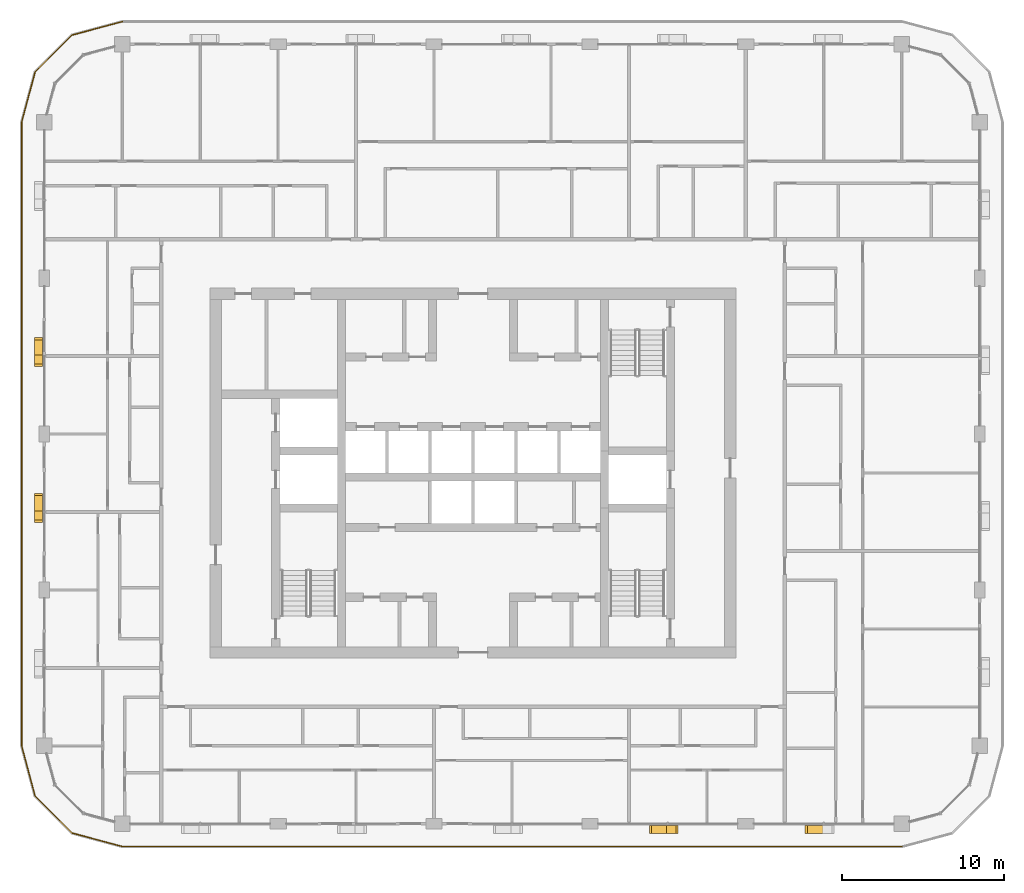
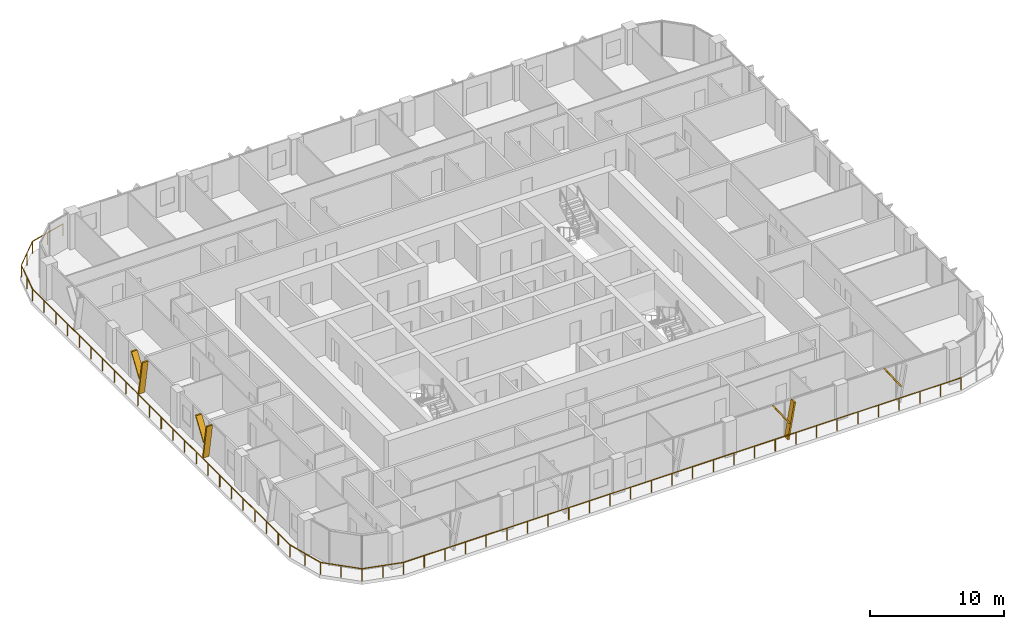
# One storey, part 19 of 23: 7 shading devices, 1 railing.
"""IFC4 building model written with IfcOpenShell, lengths in metres."""

from ifc_helpers import new_model, si_unit, direction, frame, origin, origin_2d, place, context, subcontext, project, spatial, polyline, circle, outline, extrude, material, type_object, element, save


model = new_model("IFC4")

# Units and contexts
model_context = context("Model", 3, precision=1e-05, world=origin(), true_north=direction((0.0, 1.0)))
body_context = subcontext(model_context, "Body", "Model", "MODEL_VIEW")
ifc_project = project(units=[si_unit("LENGTHUNIT", "METRE"), si_unit("AREAUNIT", "SQUARE_METRE"), si_unit("VOLUMEUNIT", "CUBIC_METRE"), si_unit("PLANEANGLEUNIT", "RADIAN"), si_unit("MASSUNIT", "GRAM", prefix="KILO")], contexts=[model_context])

# Site, building, storey
site_placement = place(None, origin())
site = spatial("IfcSite", under=ifc_project, at=site_placement, CompositionType="ELEMENT")
building_placement = place(site_placement, origin())
building = spatial("IfcBuilding", under=site, at=building_placement, Name="Madar Terraces", CompositionType="ELEMENT")
storey_placement = place(building_placement, frame((0.0, 0.0, 215.800048828125)))
storey = spatial("IfcBuildingStorey", under=building, at=storey_placement, Name="L56", CompositionType="ELEMENT", Elevation=215.800048828125)

# Railing
ifc_material_1 = material(Name="Glass, safety glazing, with stainless steel posts", Category="steel")
railing_type = type_object("IfcRailingType", Name="Balcony glass guard 1100", PredefinedType="GUARDRAIL", material=ifc_material_1)
railing_placement = place(storey_placement, frame((9.60009765625, 54.199951171875, 0.0)))
element("IfcRailing", 1, at=railing_placement, inside=storey, type_object=railing_type, Name="Balcony guard", PredefinedType="GUARDRAIL", context=body_context, shape_type="SweptSolid", body=[
    extrude(circle(Radius=0.02392578125, at=origin_2d()), frame((0.0, 0.0, 1.076171875), z_axis=(-0.9659337912, -0.258789317819, 0.0), x_axis=(0.258789317819, -0.9659337912, 0.0)), (0.0, 0.0, 1.0), 3.20947265625),
    extrude(circle(Radius=0.02392578125, at=origin_2d()), frame((-3.10009765625, -0.83056640625, 1.076171875), z_axis=(-0.707106781187, -0.707106781187, 0.0), x_axis=(0.707106781187, -0.707106781187, 0.0)), (0.0, 0.0, 1.0), 3.209228515625),
    extrude(circle(Radius=0.02392578125, at=origin_2d()), frame((-5.369384765625, -3.099853515625, 1.076171875), z_axis=(-0.258860290944, -0.965914773555, 0.0), x_axis=(0.965914773555, -0.258860290944, 0.0)), (0.0, 0.0, 1.0), 3.20947265625),
    extrude(circle(Radius=0.02392578125, at=origin_2d()), frame((-6.2001953125, -6.199951171875, 1.076171875), z_axis=(0.0, -1.0, 0.0), x_axis=(1.0, 0.0, 0.0)), (0.0, 0.0, 1.0), 38.39990234375),
    extrude(circle(Radius=0.02392578125, at=origin_2d()), frame((-6.2001953125, -44.599853515625, 1.076171875), z_axis=(0.258860290944, -0.965914773555, 0.0), x_axis=(0.965914773555, 0.258860290944, 0.0)), (0.0, 0.0, 1.0), 3.20947265625),
    extrude(circle(Radius=0.02392578125, at=origin_2d()), frame((-5.369384765625, -47.699951171875, 1.076171875), z_axis=(0.707106781187, -0.707106781187, 0.0), x_axis=(0.707106781187, 0.707106781187, 0.0)), (0.0, 0.0, 1.0), 3.209228515625),
    extrude(circle(Radius=0.02392578125, at=origin_2d()), frame((-3.10009765625, -49.96923828125, 1.076171875), z_axis=(0.965914773555, -0.258860290944, 0.0), x_axis=(0.258860290944, 0.965914773555, 0.0)), (0.0, 0.0, 1.0), 3.20947265625),
    extrude(circle(Radius=0.02392578125, at=origin_2d()), frame((0.0, -50.800048828125, 1.076171875), z_axis=(1.0, 0.0, 0.0), x_axis=(0.0, 1.0, 0.0)), (0.0, 0.0, 1.0), 48.0),
    extrude(circle(Radius=0.02099609375, at=origin_2d()), origin(), (0.0, 0.0, 1.0), 1.052001953125),
    extrude(circle(Radius=0.02099609375, at=origin_2d()), frame((-1.550048828125, -0.415283203125, 0.0)), (0.0, 0.0, 1.0), 1.052001953125),
    extrude(circle(Radius=0.02099609375, at=origin_2d()), frame((-3.10009765625, -0.83056640625, 0.0)), (0.0, 0.0, 1.0), 1.052001953125),
    extrude(circle(Radius=0.02099609375, at=origin_2d()), frame((-4.23486328125, -1.96533203125, 0.0)), (0.0, 0.0, 1.0), 1.052001953125),
    extrude(circle(Radius=0.02099609375, at=origin_2d()), frame((-5.369384765625, -3.099853515625, 0.0)), (0.0, 0.0, 1.0), 1.052001953125),
    extrude(circle(Radius=0.02099609375, at=origin_2d()), frame((-5.78466796875, -4.64990234375, 0.0)), (0.0, 0.0, 1.0), 1.052001953125),
    extrude(circle(Radius=0.02099609375, at=origin_2d()), frame((-6.2001953125, -6.199951171875, 0.0)), (0.0, 0.0, 1.0), 1.052001953125),
    extrude(circle(Radius=0.02099609375, at=origin_2d()), frame((-6.2001953125, -7.9453125, 0.0)), (0.0, 0.0, 1.0), 1.052001953125),
    extrude(circle(Radius=0.02099609375, at=origin_2d()), frame((-6.2001953125, -9.69091796875, 0.0)), (0.0, 0.0, 1.0), 1.052001953125),
    extrude(circle(Radius=0.02099609375, at=origin_2d()), frame((-6.2001953125, -11.436279296875, 0.0)), (0.0, 0.0, 1.0), 1.052001953125),
    extrude(circle(Radius=0.02099609375, at=origin_2d()), frame((-6.2001953125, -13.181640625, 0.0)), (0.0, 0.0, 1.0), 1.052001953125),
    extrude(circle(Radius=0.02099609375, at=origin_2d()), frame((-6.2001953125, -14.92724609375, 0.0)), (0.0, 0.0, 1.0), 1.052001953125),
    extrude(circle(Radius=0.02099609375, at=origin_2d()), frame((-6.2001953125, -16.672607421875, 0.0)), (0.0, 0.0, 1.0), 1.052001953125),
    extrude(circle(Radius=0.02099609375, at=origin_2d()), frame((-6.2001953125, -18.418212890625, 0.0)), (0.0, 0.0, 1.0), 1.052001953125),
    extrude(circle(Radius=0.02099609375, at=origin_2d()), frame((-6.2001953125, -20.16357421875, 0.0)), (0.0, 0.0, 1.0), 1.052001953125),
    extrude(circle(Radius=0.02099609375, at=origin_2d()), frame((-6.2001953125, -21.908935546875, 0.0)), (0.0, 0.0, 1.0), 1.052001953125),
    extrude(circle(Radius=0.02099609375, at=origin_2d()), frame((-6.2001953125, -23.654541015625, 0.0)), (0.0, 0.0, 1.0), 1.052001953125),
    extrude(circle(Radius=0.02099609375, at=origin_2d()), frame((-6.2001953125, -25.39990234375, 0.0)), (0.0, 0.0, 1.0), 1.052001953125),
    extrude(circle(Radius=0.02099609375, at=origin_2d()), frame((-6.2001953125, -27.145263671875, 0.0)), (0.0, 0.0, 1.0), 1.052001953125),
    extrude(circle(Radius=0.02099609375, at=origin_2d()), frame((-6.2001953125, -28.890869140625, 0.0)), (0.0, 0.0, 1.0), 1.052001953125),
    extrude(circle(Radius=0.02099609375, at=origin_2d()), frame((-6.2001953125, -30.63623046875, 0.0)), (0.0, 0.0, 1.0), 1.052001953125),
    extrude(circle(Radius=0.02099609375, at=origin_2d()), frame((-6.2001953125, -32.381591796875, 0.0)), (0.0, 0.0, 1.0), 1.052001953125),
    extrude(circle(Radius=0.02099609375, at=origin_2d()), frame((-6.2001953125, -34.127197265625, 0.0)), (0.0, 0.0, 1.0), 1.052001953125),
    extrude(circle(Radius=0.02099609375, at=origin_2d()), frame((-6.2001953125, -35.87255859375, 0.0)), (0.0, 0.0, 1.0), 1.052001953125),
    extrude(circle(Radius=0.02099609375, at=origin_2d()), frame((-6.2001953125, -37.6181640625, 0.0)), (0.0, 0.0, 1.0), 1.052001953125),
    extrude(circle(Radius=0.02099609375, at=origin_2d()), frame((-6.2001953125, -39.363525390625, 0.0)), (0.0, 0.0, 1.0), 1.052001953125),
    extrude(circle(Radius=0.02099609375, at=origin_2d()), frame((-6.2001953125, -41.10888671875, 0.0)), (0.0, 0.0, 1.0), 1.052001953125),
    extrude(circle(Radius=0.02099609375, at=origin_2d()), frame((-6.2001953125, -42.8544921875, 0.0)), (0.0, 0.0, 1.0), 1.052001953125),
    extrude(circle(Radius=0.02099609375, at=origin_2d()), frame((-6.2001953125, -44.599853515625, 0.0)), (0.0, 0.0, 1.0), 1.052001953125),
    extrude(circle(Radius=0.02099609375, at=origin_2d()), frame((-5.78466796875, -46.14990234375, 0.0)), (0.0, 0.0, 1.0), 1.052001953125),
    extrude(circle(Radius=0.02099609375, at=origin_2d()), frame((-5.369384765625, -47.699951171875, 0.0)), (0.0, 0.0, 1.0), 1.052001953125),
    extrude(circle(Radius=0.02099609375, at=origin_2d()), frame((-4.23486328125, -48.83447265625, 0.0)), (0.0, 0.0, 1.0), 1.052001953125),
    extrude(circle(Radius=0.02099609375, at=origin_2d()), frame((-3.10009765625, -49.96923828125, 0.0)), (0.0, 0.0, 1.0), 1.052001953125),
    extrude(circle(Radius=0.02099609375, at=origin_2d()), frame((-1.550048828125, -50.384765625, 0.0)), (0.0, 0.0, 1.0), 1.052001953125),
    extrude(circle(Radius=0.02099609375, at=origin_2d()), frame((0.0, -50.800048828125, 0.0)), (0.0, 0.0, 1.0), 1.052001953125),
    extrude(circle(Radius=0.02099609375, at=origin_2d()), frame((1.77783203125, -50.800048828125, 0.0)), (0.0, 0.0, 1.0), 1.052001953125),
    extrude(circle(Radius=0.02099609375, at=origin_2d()), frame((3.5556640625, -50.800048828125, 0.0)), (0.0, 0.0, 1.0), 1.052001953125),
    extrude(circle(Radius=0.02099609375, at=origin_2d()), frame((5.333251953125, -50.800048828125, 0.0)), (0.0, 0.0, 1.0), 1.052001953125),
    extrude(circle(Radius=0.02099609375, at=origin_2d()), frame((7.111083984375, -50.800048828125, 0.0)), (0.0, 0.0, 1.0), 1.052001953125),
    extrude(circle(Radius=0.02099609375, at=origin_2d()), frame((8.888916015625, -50.800048828125, 0.0)), (0.0, 0.0, 1.0), 1.052001953125),
    extrude(circle(Radius=0.02099609375, at=origin_2d()), frame((10.666748046875, -50.800048828125, 0.0)), (0.0, 0.0, 1.0), 1.052001953125),
    extrude(circle(Radius=0.02099609375, at=origin_2d()), frame((12.4443359375, -50.800048828125, 0.0)), (0.0, 0.0, 1.0), 1.052001953125),
    extrude(circle(Radius=0.02099609375, at=origin_2d()), frame((14.22216796875, -50.800048828125, 0.0)), (0.0, 0.0, 1.0), 1.052001953125),
    extrude(circle(Radius=0.02099609375, at=origin_2d()), frame((16.0, -50.800048828125, 0.0)), (0.0, 0.0, 1.0), 1.052001953125),
    extrude(circle(Radius=0.02099609375, at=origin_2d()), frame((17.77783203125, -50.800048828125, 0.0)), (0.0, 0.0, 1.0), 1.052001953125),
    extrude(circle(Radius=0.02099609375, at=origin_2d()), frame((19.5556640625, -50.800048828125, 0.0)), (0.0, 0.0, 1.0), 1.052001953125),
    extrude(circle(Radius=0.02099609375, at=origin_2d()), frame((21.333251953125, -50.800048828125, 0.0)), (0.0, 0.0, 1.0), 1.052001953125),
    extrude(circle(Radius=0.02099609375, at=origin_2d()), frame((23.111083984375, -50.800048828125, 0.0)), (0.0, 0.0, 1.0), 1.052001953125),
    extrude(circle(Radius=0.02099609375, at=origin_2d()), frame((24.888916015625, -50.800048828125, 0.0)), (0.0, 0.0, 1.0), 1.052001953125),
    extrude(circle(Radius=0.02099609375, at=origin_2d()), frame((26.666748046875, -50.800048828125, 0.0)), (0.0, 0.0, 1.0), 1.052001953125),
    extrude(circle(Radius=0.02099609375, at=origin_2d()), frame((28.4443359375, -50.800048828125, 0.0)), (0.0, 0.0, 1.0), 1.052001953125),
    extrude(circle(Radius=0.02099609375, at=origin_2d()), frame((30.22216796875, -50.800048828125, 0.0)), (0.0, 0.0, 1.0), 1.052001953125),
    extrude(circle(Radius=0.02099609375, at=origin_2d()), frame((32.0, -50.800048828125, 0.0)), (0.0, 0.0, 1.0), 1.052001953125),
    extrude(circle(Radius=0.02099609375, at=origin_2d()), frame((33.77783203125, -50.800048828125, 0.0)), (0.0, 0.0, 1.0), 1.052001953125),
    extrude(circle(Radius=0.02099609375, at=origin_2d()), frame((35.5556640625, -50.800048828125, 0.0)), (0.0, 0.0, 1.0), 1.052001953125),
    extrude(circle(Radius=0.02099609375, at=origin_2d()), frame((37.333251953125, -50.800048828125, 0.0)), (0.0, 0.0, 1.0), 1.052001953125),
    extrude(circle(Radius=0.02099609375, at=origin_2d()), frame((39.111083984375, -50.800048828125, 0.0)), (0.0, 0.0, 1.0), 1.052001953125),
    extrude(circle(Radius=0.02099609375, at=origin_2d()), frame((40.888916015625, -50.800048828125, 0.0)), (0.0, 0.0, 1.0), 1.052001953125),
    extrude(circle(Radius=0.02099609375, at=origin_2d()), frame((42.666748046875, -50.800048828125, 0.0)), (0.0, 0.0, 1.0), 1.052001953125),
    extrude(circle(Radius=0.02099609375, at=origin_2d()), frame((44.4443359375, -50.800048828125, 0.0)), (0.0, 0.0, 1.0), 1.052001953125),
    extrude(circle(Radius=0.02099609375, at=origin_2d()), frame((46.22216796875, -50.800048828125, 0.0)), (0.0, 0.0, 1.0), 1.052001953125),
    extrude(circle(Radius=0.02099609375, at=origin_2d()), frame((48.0, -50.800048828125, 0.0)), (0.0, 0.0, 1.0), 1.052001953125),
])

# Shading devices
ifc_material_2 = material(Name="Aluminium, black anodised", Category="aluminium")
shading_device_type = type_object("IfcShadingDeviceType", Name="Facade fin blade 140 x 500", PredefinedType="USERDEFINED", material=ifc_material_2)
shading_device_1_placement = place(storey_placement, frame((43.1298828125, 4.449951171875, 0.0), z_axis=(0.0, 0.0, 1.0), x_axis=(1.0, 0.0, 0.0)))
element("IfcShadingDevice", 2, at=shading_device_1_placement, inside=storey, type_object=shading_device_type, Name="FIN L56 S4", ObjectType="FIN", PredefinedType="USERDEFINED", context=body_context, shape_type="SweptSolid", body=[
    extrude(outline(polyline([(0.0, 0.0), (0.14013671875, 0.0), (0.704345703125, 3.199951171875), (0.564208984375, 3.199951171875), (0.0, 0.0)])), frame((0.0, 0.25, 0.0), z_axis=(0.0, -1.0, 0.0), x_axis=(1.0, 0.0, 0.0)), (0.0, 0.0, 1.0), 0.5),
])
for number, where, z_axis, x_axis, name in (
    (3, (43.243896484375, 4.449951171875, 1.43994140625), (0.0, 0.0, 1.0), (1.0, 0.0, 0.0), "FIN L56 S4 branch"),
    (4, (52.843994140625, 4.449951171875, 1.43994140625), (0.0, 0.0, 1.0), (1.0, 0.0, 0.0), "FIN L56 S5 branch"),
):
    element("IfcShadingDevice", number, at=place(storey_placement, frame(where, z_axis=z_axis, x_axis=x_axis)), inside=storey, type_object=shading_device_type, Name=name, ObjectType="FIN", PredefinedType="USERDEFINED", context=body_context, shape_type="SweptSolid", body=[
        extrude(outline(polyline([(0.0, 0.0), (0.139892578125, 0.0), (-1.049560546875, 1.760009765625), (-1.189697265625, 1.760009765625), (0.0, 0.0)])), frame((0.0, 0.25, 0.0), z_axis=(0.0, -1.0, 0.0), x_axis=(1.0, 0.0, 0.0)), (0.0, 0.0, 1.0), 0.5),
    ])
shading_device_2_placement = place(storey_placement, frame((4.449951171875, 33.669921875, 0.0), z_axis=(0.0, 0.0, 1.0), x_axis=(0.0, -1.0, 0.0)))
element("IfcShadingDevice", 5, at=shading_device_2_placement, inside=storey, type_object=shading_device_type, Name="FIN L56 W2", ObjectType="FIN", PredefinedType="USERDEFINED", context=body_context, shape_type="SweptSolid", body=[
    extrude(outline(polyline([(0.0, 0.0), (0.139892578125, 0.0), (0.704345703125, 3.199951171875), (0.564208984375, 3.199951171875), (0.0, 0.0)])), frame((0.0, 0.25, 0.0), z_axis=(0.0, -1.0, 0.0), x_axis=(1.0, 0.0, 0.0)), (0.0, 0.0, 1.0), 0.5),
])
shading_device_3_placement = place(storey_placement, frame((4.449951171875, 33.55615234375, 1.43994140625), z_axis=(0.0, 0.0, 1.0), x_axis=(0.0, -1.0, 0.0)))
element("IfcShadingDevice", 6, at=shading_device_3_placement, inside=storey, type_object=shading_device_type, Name="FIN L56 W2 branch", ObjectType="FIN", PredefinedType="USERDEFINED", context=body_context, shape_type="SweptSolid", body=[
    extrude(outline(polyline([(0.0, 0.0), (0.14013671875, 0.0), (-1.049560546875, 1.760009765625), (-1.189697265625, 1.760009765625), (0.0, 0.0)])), frame((0.0, 0.25, 0.0), z_axis=(0.0, -1.0, 0.0), x_axis=(1.0, 0.0, 0.0)), (0.0, 0.0, 1.0), 0.5),
])
shading_device_4_placement = place(storey_placement, frame((4.449951171875, 24.070068359375, 0.0), z_axis=(0.0, 0.0, 1.0), x_axis=(0.0, -1.0, 0.0)))
element("IfcShadingDevice", 7, at=shading_device_4_placement, inside=storey, type_object=shading_device_type, Name="FIN L56 W3", ObjectType="FIN", PredefinedType="USERDEFINED", context=body_context, shape_type="SweptSolid", body=[
    extrude(outline(polyline([(0.0, 0.0), (0.14013671875, 0.0), (0.704345703125, 3.199951171875), (0.564208984375, 3.199951171875), (0.0, 0.0)])), frame((0.0, 0.25, 0.0), z_axis=(0.0, -1.0, 0.0), x_axis=(1.0, 0.0, 0.0)), (0.0, 0.0, 1.0), 0.5),
])
shading_device_5_placement = place(storey_placement, frame((4.449951171875, 23.9560546875, 1.43994140625), z_axis=(0.0, 0.0, 1.0), x_axis=(0.0, -1.0, 0.0)))
element("IfcShadingDevice", 8, at=shading_device_5_placement, inside=storey, type_object=shading_device_type, Name="FIN L56 W3 branch", ObjectType="FIN", PredefinedType="USERDEFINED", context=body_context, shape_type="SweptSolid", body=[
    extrude(outline(polyline([(0.0, 0.0), (0.139892578125, 0.0), (-1.049560546875, 1.760009765625), (-1.189697265625, 1.760009765625), (0.0, 0.0)])), frame((0.0, 0.25, 0.0), z_axis=(0.0, -1.0, 0.0), x_axis=(1.0, 0.0, 0.0)), (0.0, 0.0, 1.0), 0.5),
])

save(model, "model.ifc")
